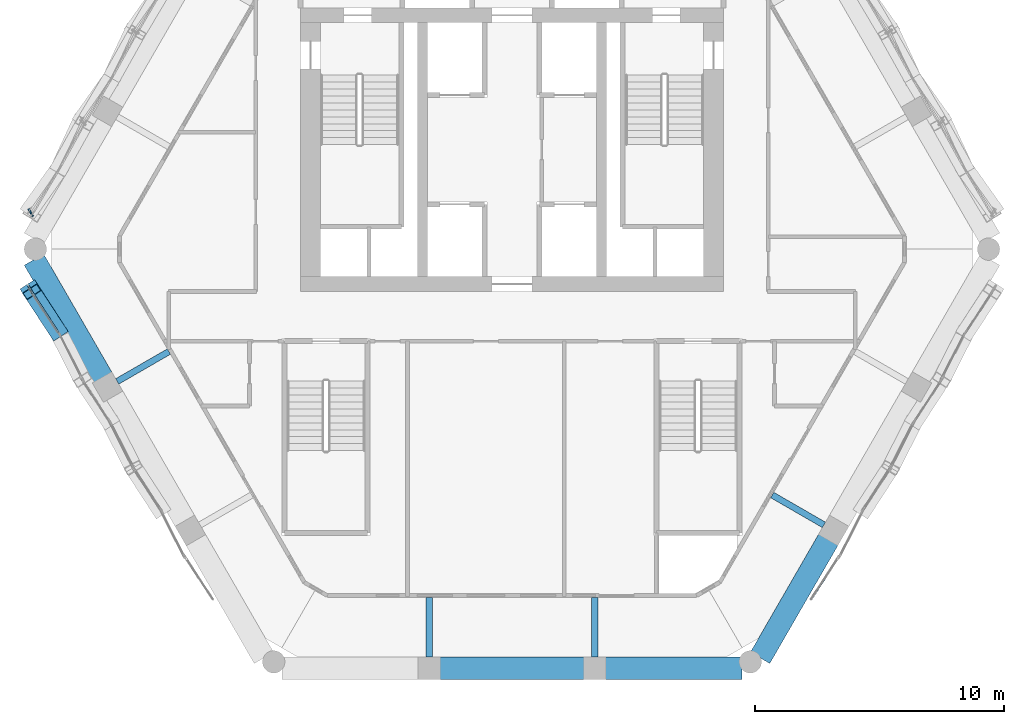
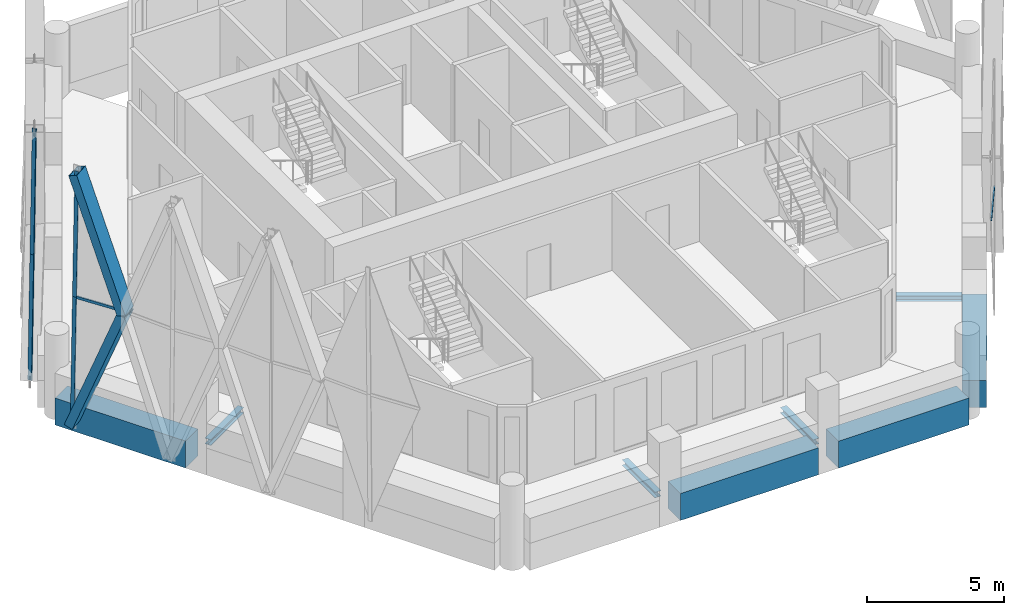
# One storey, part 4 of 18: 8 beams, 8 members, 4 elements without a shape of their own.
"""IFC4 building model written with IfcOpenShell, lengths in metres."""

from ifc_helpers import new_model, si_unit, direction, frame, origin, origin_2d, place, context, subcontext, project, spatial, rectangle, hollow_rectangle, i_section, extrude, material, material_profile, profile_set, type_object, element, aggregate, save


model = new_model("IFC4")

# Units and contexts
model_context = context("Model", 3, precision=1e-05, world=origin(), true_north=direction((0.0, 1.0)))
body_context = subcontext(model_context, "Body", "Model", "MODEL_VIEW")
ifc_project = project(units=[si_unit("LENGTHUNIT", "METRE"), si_unit("AREAUNIT", "SQUARE_METRE"), si_unit("VOLUMEUNIT", "CUBIC_METRE"), si_unit("PLANEANGLEUNIT", "RADIAN"), si_unit("MASSUNIT", "GRAM", prefix="KILO")], contexts=[model_context])

# Site, building, storey
site_placement = place(None, origin())
site = spatial("IfcSite", under=ifc_project, at=site_placement, CompositionType="ELEMENT")
building_placement = place(site_placement, origin())
building = spatial("IfcBuilding", under=site, at=building_placement, Name="Ostrander Bayou Hotel Tower", CompositionType="ELEMENT")
storey_placement = place(building_placement, frame((0.0, 0.0, 214.5)))
storey = spatial("IfcBuildingStorey", under=building, at=storey_placement, Name="L53", CompositionType="ELEMENT", Elevation=214.5)

# Curtain wall, members
ifc_material_1 = material(Name="Aluminium and clear glass", Category="aluminium")
curtain_wall_type = type_object("IfcCurtainWallType", Name="CW-LAT lattice glazing", PredefinedType="NOTDEFINED", material=ifc_material_1)
curtain_wall_1_placement = place(storey_placement, origin())
curtain_wall_1 = element("IfcCurtainWall", 1, at=curtain_wall_1_placement, inside=storey, type_object=curtain_wall_type, Name="CW-LAT L53 NW 1", PredefinedType="NOTDEFINED")
ifc_material_2 = material(Name="Aluminium", Category="aluminium")
ifc_material_profile_1 = material_profile(ifc_material_2, hollow_rectangle(XDim=0.06005859375, YDim=0.159912109375, WallThickness=0.00390625, at=origin_2d()))
ifc_profile_set_1 = profile_set([ifc_material_profile_1], Name="Aluminium")
member_type_1 = type_object("IfcMemberType", Name="CW-LA mullion 60 x 160 mm", PredefinedType="MULLION", material=ifc_profile_set_1)
member_1_placement = place(storey_placement, frame((-19.392333984375, 1.551513671875, -0.60009765625), z_axis=(0.008375557002, -0.014537883916, 0.999859240081), x_axis=(0.866486855147, 0.499199889682, 0.0)))
member_1 = element("IfcMember", 2, at=member_1_placement, type_object=member_type_1, Name="CW-LAT mullion 13", PredefinedType="MULLION", context=body_context, shape_type="SweptSolid", body=[
    extrude(hollow_rectangle(XDim=0.06005859375, YDim=0.159912109375, WallThickness=0.00390625, at=origin_2d()), origin(), (0.0, 0.0, 1.0), 5.625732421875),
])
member_2_placement = place(storey_placement, frame((-19.34521484375, 1.4697265625, 5.02490234375), z_axis=(0.008418950603, -0.014537878618, 0.99985887572), x_axis=(0.865367327112, 0.50113809391, 0.0)))
member_2 = element("IfcMember", 3, at=member_2_placement, type_object=member_type_1, Name="CW-LAT mullion 14", PredefinedType="MULLION", context=body_context, shape_type="SweptSolid", body=[
    extrude(hollow_rectangle(XDim=0.06005859375, YDim=0.159912109375, WallThickness=0.00390625, at=origin_2d()), origin(), (0.0, 0.0, 1.0), 5.625732421875),
])
aggregate(curtain_wall_1, [member_1, member_2])

curtain_wall_2_placement = place(storey_placement, origin())
curtain_wall_2 = element("IfcCurtainWall", 4, at=curtain_wall_2_placement, inside=storey, type_object=curtain_wall_type, Name="CW-LAT L53 SW 1", PredefinedType="NOTDEFINED")
member_3_placement = place(storey_placement, frame((-19.392333984375, -1.551513671875, -0.60009765625), z_axis=(0.008375557002, -0.014537883916, 0.999859240081), x_axis=(0.866486855147, 0.499199889682, 0.0)))
member_3 = element("IfcMember", 5, at=member_3_placement, type_object=member_type_1, Name="CW-LAT mullion 1", PredefinedType="MULLION", context=body_context, shape_type="SweptSolid", body=[
    extrude(hollow_rectangle(XDim=0.06005859375, YDim=0.159912109375, WallThickness=0.00390625, at=origin_2d()), origin(), (0.0, 0.0, 1.0), 5.625732421875),
])
member_4_placement = place(storey_placement, frame((-19.34521484375, -1.63330078125, 5.02490234375), z_axis=(0.008418950603, -0.014537878618, 0.99985887572), x_axis=(0.865367327112, 0.50113809391, 0.0)))
member_4 = element("IfcMember", 6, at=member_4_placement, type_object=member_type_1, Name="CW-LAT mullion 2", PredefinedType="MULLION", context=body_context, shape_type="SweptSolid", body=[
    extrude(hollow_rectangle(XDim=0.06005859375, YDim=0.159912109375, WallThickness=0.00390625, at=origin_2d()), origin(), (0.0, 0.0, 1.0), 5.625732421875),
])
aggregate(curtain_wall_2, [member_3, member_4])

# Curtain wall, member
curtain_wall_3_placement = place(storey_placement, origin())
curtain_wall_3 = element("IfcCurtainWall", 7, at=curtain_wall_3_placement, inside=storey, type_object=curtain_wall_type, Name="CW-LAT L53 SW 2", PredefinedType="NOTDEFINED")
ifc_material_3 = material(Name="Aluminium", Category="aluminium")
ifc_material_profile_2 = material_profile(ifc_material_3, hollow_rectangle(XDim=0.06005859375, YDim=0.1201171875, WallThickness=0.00390625, at=origin_2d()))
ifc_profile_set_2 = profile_set([ifc_material_profile_2], Name="Aluminium")
member_type_2 = type_object("IfcMemberType", Name="CW-LA transom 60 x 120 mm", PredefinedType="USERDEFINED", material=ifc_profile_set_2)
member_5_placement = place(storey_placement, frame((-19.34521484375, -1.63330078125, 5.02490234375), z_axis=(0.545208318422, -0.838300596161, 0.0), x_axis=(0.838300596161, 0.545208318422, 0.0)))
member_5 = element("IfcMember", 8, at=member_5_placement, type_object=member_type_2, Name="CW-LAT transom 3", ObjectType="TRANSOM", PredefinedType="USERDEFINED", context=body_context, shape_type="SweptSolid", body=[
    extrude(hollow_rectangle(XDim=0.06005859375, YDim=0.1201171875, WallThickness=0.00390625, at=origin_2d()), origin(), (0.0, 0.0, 1.0), 2.0673828125),
])
aggregate(curtain_wall_3, [member_5])

curtain_wall_4_placement = place(storey_placement, origin())
curtain_wall_4 = element("IfcCurtainWall", 9, at=curtain_wall_4_placement, inside=storey, type_object=curtain_wall_type, Name="CW-LAT L53 SE 2", PredefinedType="NOTDEFINED")
member_6_placement = place(storey_placement, frame((13.151611328125, -12.36083984375, 5.02490234375), z_axis=(-0.545208318422, -0.838300596161, 0.0), x_axis=(0.838300596161, -0.545208318422, 0.0)))
member_6 = element("IfcMember", 10, at=member_6_placement, type_object=member_type_2, Name="CW-LAT transom 3", ObjectType="TRANSOM", PredefinedType="USERDEFINED", context=body_context, shape_type="SweptSolid", body=[
    extrude(hollow_rectangle(XDim=0.06005859375, YDim=0.1201171875, WallThickness=0.00390625, at=origin_2d()), origin(), (0.0, 0.0, 1.0), 2.0673828125),
])
aggregate(curtain_wall_4, [member_6])

# Beams
ifc_material_4 = material(Name="Steel ASTM A992", Category="steel")
ifc_material_profile_3 = material_profile(ifc_material_4, i_section(OverallWidth=0.25390625, OverallDepth=0.25341796875, WebThickness=0.008544921875, FlangeThickness=0.01416015625, at=origin_2d()))
ifc_profile_set_3 = profile_set([ifc_material_profile_3], Name="Steel ASTM A992")
beam_type_1 = type_object("IfcBeamType", Name="LB2 loggia bracket W10x49", PredefinedType="BEAM", material=ifc_profile_set_3)
for number, where, z_axis, x_axis, name in (
    (11, (-15.867431640625, -5.316650390625, -0.4267578125), (0.866024647952, 0.500001309137, 0.0), (-0.500001309137, 0.866024647952, 0.0), "LB2 L53 SW1"),
    (12, (-3.329345703125, -16.39990234375, -0.4267578125), (0.0, 1.0, 0.0), (-1.0, 0.0, 0.0), "LB2 L53 S1"),
    (13, (3.329345703125, -16.39990234375, -0.4267578125), (0.0, 1.0, 0.0), (-1.0, 0.0, 0.0), "LB2 L53 S2"),
    (14, (12.5380859375, -11.083251953125, -0.4267578125), (-0.866024647952, 0.500001309137, 0.0), (-0.500001309137, -0.866024647952, 0.0), "LB2 L53 SE1"),
):
    element("IfcBeam", number, at=place(storey_placement, frame(where, z_axis=z_axis, x_axis=x_axis)), inside=storey, type_object=beam_type_1, Name=name, PredefinedType="BEAM", context=body_context, shape_type="SweptSolid", body=[
        extrude(i_section(OverallWidth=0.25390625, OverallDepth=0.25341796875, WebThickness=0.008544921875, FlangeThickness=0.01416015625, at=origin_2d()), origin(), (0.0, 0.0, 1.0), 2.39990234375),
    ])

# Members
ifc_material_5 = material(Name="Steel ASTM A572 Gr 50", Category="steel")
ifc_material_profile_4 = material_profile(ifc_material_5, hollow_rectangle(XDim=0.699951171875, YDim=0.35009765625, WallThickness=0.02490234375, at=origin_2d()))
ifc_profile_set_4 = profile_set([ifc_material_profile_4], Name="Steel ASTM A572 Gr 50")
member_type_3 = type_object("IfcMemberType", Name="LT1 lattice member box 700 x 350 x 25 mm", PredefinedType="BRACE", material=ifc_profile_set_4)
member_7_placement = place(storey_placement, frame((-18.218017578125, -3.366455078125, 5.02490234375), z_axis=(-0.194872312498, 0.301181033495, -0.933442428265), x_axis=(-0.839582277136, -0.543232546815, 0.0)))
element("IfcMember", 15, at=member_7_placement, inside=storey, type_object=member_type_3, Name="LT1 L53 SW 1", PredefinedType="BRACE", context=body_context, shape_type="SweptSolid", body=[
    extrude(hollow_rectangle(XDim=0.699951171875, YDim=0.35009765625, WallThickness=0.02490234375, at=origin_2d()), origin(), (0.0, 0.0, 1.0), 6.026123046875),
])
member_8_placement = place(storey_placement, frame((-18.218017578125, -3.366455078125, 5.02490234375), z_axis=(-0.181149399113, 0.277027930274, 0.943631507024), x_axis=(-0.836947815323, -0.547282700646, 0.0)))
element("IfcMember", 16, at=member_8_placement, inside=storey, type_object=member_type_3, Name="LT1 L53 SW 2", PredefinedType="BRACE", context=body_context, shape_type="SweptSolid", body=[
    extrude(hollow_rectangle(XDim=0.699951171875, YDim=0.35009765625, WallThickness=0.02490234375, at=origin_2d()), origin(), (0.0, 0.0, 1.0), 5.9609375),
])

# Beams
ifc_material_6 = material(Name="Concrete f'c 60 MPa", Category="concrete")
ifc_material_profile_5 = material_profile(ifc_material_6, rectangle(XDim=0.89990234375, YDim=1.199951171875, at=origin_2d()))
ifc_profile_set_5 = profile_set([ifc_material_profile_5], Name="Concrete f'c 60 MPa")
beam_type_2 = type_object("IfcBeamType", Name="SP4 spandrel beam 900 x 1200 mm f'c 60 MPa", PredefinedType="SPANDREL", material=ifc_profile_set_5)
beam_1_placement = place(storey_placement, frame((-19.213134765625, -0.422119140625, -0.60009765625), z_axis=(0.50000722722, -0.866021231107, 0.0), x_axis=(0.866021231107, 0.50000722722, 0.0)))
element("IfcBeam", 17, at=beam_1_placement, inside=storey, type_object=beam_type_2, Name="SP4 L53 SW-1", PredefinedType="SPANDREL", context=body_context, shape_type="SweptSolid", body=[
    extrude(rectangle(XDim=0.89990234375, YDim=1.199951171875, at=origin_2d()), origin(), (0.0, 0.0, 1.0), 5.49169921875),
])
beam_2_placement = place(storey_placement, frame((-2.909423828125, -16.85009765625, -0.60009765625), z_axis=(1.0, 0.0, 0.0), x_axis=(0.0, 1.0, 0.0)))
element("IfcBeam", 18, at=beam_2_placement, inside=storey, type_object=beam_type_2, Name="SP4 L53 S-2", PredefinedType="SPANDREL", context=body_context, shape_type="SweptSolid", body=[
    extrude(rectangle(XDim=0.89990234375, YDim=1.199951171875, at=origin_2d()), origin(), (0.0, 0.0, 1.0), 5.81884765625),
])
for number, where, z_axis, x_axis, name in (
    (19, (3.74951171875, -16.85009765625, -0.60009765625), (1.0, 0.0, 0.0), (0.0, 1.0, 0.0), "SP4 L53 S-3"),
    (20, (9.971923828125, -16.427978515625, -0.60009765625), (0.50000722722, 0.866021231107, 0.0), (-0.866021231107, 0.50000722722, 0.0), "SP4 L53 SE-1"),
):
    element("IfcBeam", number, at=place(storey_placement, frame(where, z_axis=z_axis, x_axis=x_axis)), inside=storey, type_object=beam_type_2, Name=name, PredefinedType="SPANDREL", context=body_context, shape_type="SweptSolid", body=[
        extrude(rectangle(XDim=0.89990234375, YDim=1.199951171875, at=origin_2d()), origin(), (0.0, 0.0, 1.0), 5.49169921875),
    ])

save(model, "model.ifc")
